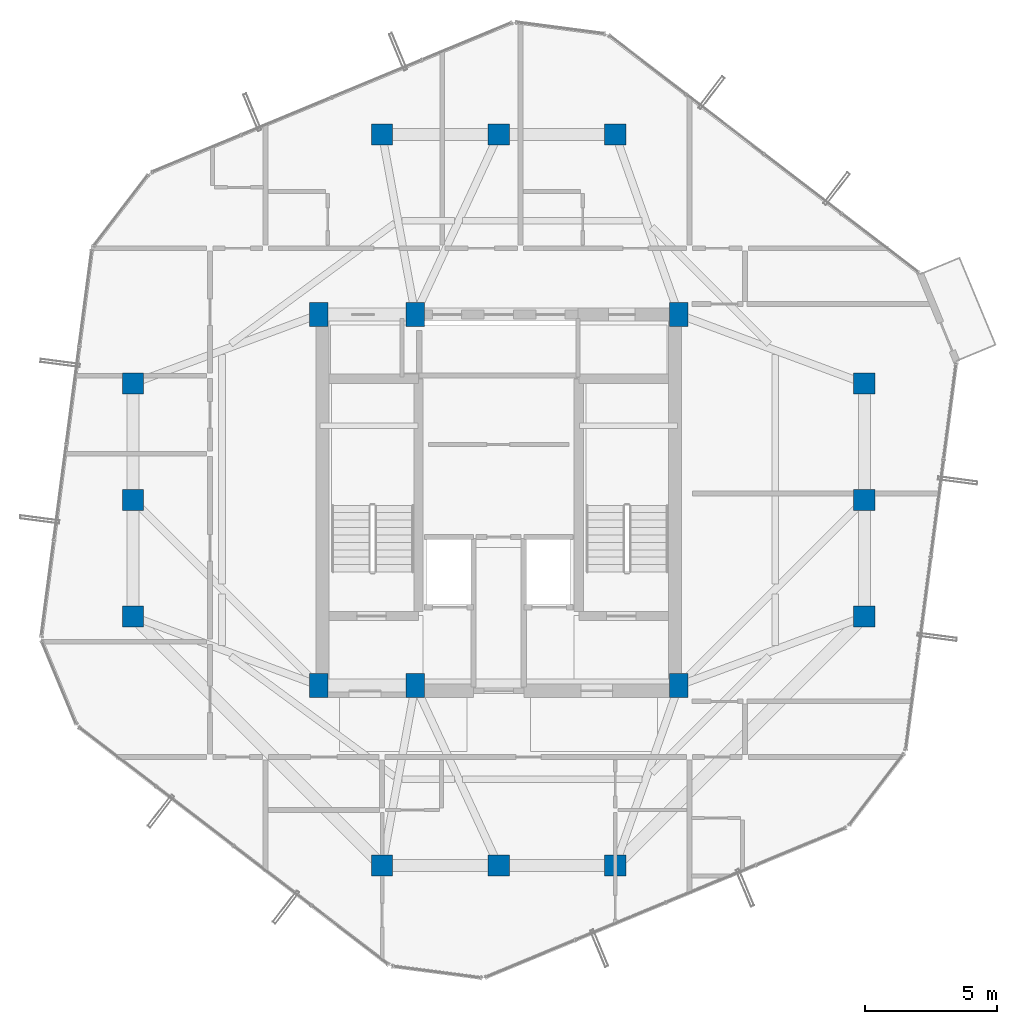
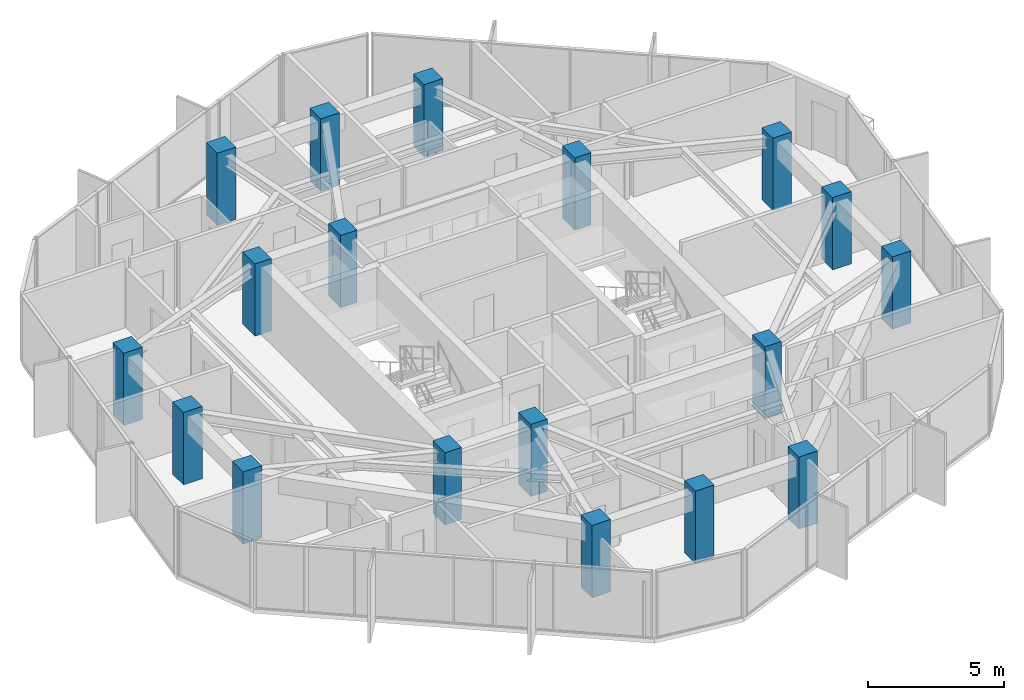
# One storey, part 1 of 31: 18 columns.
"""IFC4 building model written with IfcOpenShell, lengths in metres."""

from ifc_helpers import new_model, si_unit, direction, frame, origin, origin_2d, place, context, subcontext, project, spatial, rectangle, extrude, material, material_profile, profile_set, type_object, element, save


model = new_model("IFC4")

# Units and contexts
model_context = context("Model", 3, precision=1e-05, world=origin(), true_north=direction((0.0, 1.0)))
body_context = subcontext(model_context, "Body", "Model", "MODEL_VIEW")
ifc_project = project(units=[si_unit("LENGTHUNIT", "METRE"), si_unit("AREAUNIT", "SQUARE_METRE"), si_unit("VOLUMEUNIT", "CUBIC_METRE"), si_unit("PLANEANGLEUNIT", "RADIAN"), si_unit("MASSUNIT", "GRAM", prefix="KILO")], contexts=[model_context])

# Site, building, storey
site_placement = place(None, origin())
site = spatial("IfcSite", under=ifc_project, at=site_placement, CompositionType="ELEMENT")
building_placement = place(site_placement, origin())
building = spatial("IfcBuilding", under=site, at=building_placement, Name="Veraguas Prism Commons", CompositionType="ELEMENT")
storey_placement = place(building_placement, frame((0.0, 0.0, 233.300048828125)))
storey = spatial("IfcBuildingStorey", under=building, at=storey_placement, Name="L66", CompositionType="ELEMENT", Elevation=233.300048828125)

# Columns
ifc_material = material(Name="Concrete C50/60", Category="concrete")
ifc_material_profile_1 = material_profile(ifc_material, rectangle(XDim=0.800048828125, YDim=0.800048828125, at=origin_2d()), Name="RC800X800")
ifc_profile_set_1 = profile_set([ifc_material_profile_1], Name="Concrete C50/60")
column_type_1 = type_object("IfcColumnType", Name="Column Tube Z4 RC 800x800", PredefinedType="COLUMN", material=ifc_profile_set_1)
for number, where, z_axis, x_axis, name in (
    (1, (37.800048828125, 19.60009765625, 0.0), (0.0, 0.0, 1.0), (1.0, 0.0, 0.0), "Tower Perimeter Column L66-TB01"),
    (2, (37.800048828125, 24.0, 0.0), (0.0, 0.0, 1.0), (1.0, 0.0, 0.0), "Tower Perimeter Column L66-TB02"),
    (3, (37.800048828125, 28.39990234375, 0.0), (0.0, 0.0, 1.0), (1.0, 0.0, 0.0), "Tower Perimeter Column L66-TB03"),
    (4, (28.39990234375, 37.800048828125, 0.0), (0.0, 0.0, 1.0), (1.0, 0.0, 0.0), "Tower Perimeter Column L66-TB04"),
    (5, (24.0, 37.800048828125, 0.0), (0.0, 0.0, 1.0), (1.0, 0.0, 0.0), "Tower Perimeter Column L66-TB05"),
    (6, (19.60009765625, 37.800048828125, 0.0), (0.0, 0.0, 1.0), (1.0, 0.0, 0.0), "Tower Perimeter Column L66-TB06"),
    (7, (10.199951171875, 28.39990234375, 0.0), (0.0, 0.0, 1.0), (1.0, 0.0, 0.0), "Tower Perimeter Column L66-TB07"),
    (8, (10.199951171875, 24.0, 0.0), (0.0, 0.0, 1.0), (1.0, 0.0, 0.0), "Tower Perimeter Column L66-TB08"),
    (9, (10.199951171875, 19.60009765625, 0.0), (0.0, 0.0, 1.0), (1.0, 0.0, 0.0), "Tower Perimeter Column L66-TB09"),
    (10, (19.60009765625, 10.199951171875, 0.0), (0.0, 0.0, 1.0), (1.0, 0.0, 0.0), "Tower Perimeter Column L66-TB10"),
    (11, (24.0, 10.199951171875, 0.0), (0.0, 0.0, 1.0), (1.0, 0.0, 0.0), "Tower Perimeter Column L66-TB11"),
    (12, (28.39990234375, 10.199951171875, 0.0), (0.0, 0.0, 1.0), (1.0, 0.0, 0.0), "Tower Perimeter Column L66-TB12"),
):
    element("IfcColumn", number, at=place(storey_placement, frame(where, z_axis=z_axis, x_axis=x_axis)), inside=storey, type_object=column_type_1, Name=name, PredefinedType="COLUMN", context=body_context, shape_type="SweptSolid", body=[
        extrude(rectangle(XDim=0.800048828125, YDim=0.800048828125, at=origin_2d()), origin(), (0.0, 0.0, 1.0), 3.25),
    ])
ifc_material_profile_2 = material_profile(ifc_material, rectangle(XDim=0.699951171875, YDim=0.89990234375, at=origin_2d()), Name="RC700X900")
ifc_profile_set_2 = profile_set([ifc_material_profile_2], Name="Concrete C50/60")
column_type_2 = type_object("IfcColumnType", Name="Pilaster Core Upper RC 700x900", PredefinedType="PILASTER", material=ifc_profile_set_2)
for number, where, z_axis, x_axis, name in (
    (13, (17.199951171875, 17.0, 0.0), (0.0, 0.0, 1.0), (1.0, 0.0, 0.0), "Core Pilaster Column L66-CR1"),
    (14, (20.85009765625, 17.0, 0.0), (0.0, 0.0, 1.0), (1.0, 0.0, 0.0), "Core Pilaster Column L66-CR2"),
    (15, (30.800048828125, 17.0, 0.0), (0.0, 0.0, 1.0), (1.0, 0.0, 0.0), "Core Pilaster Column L66-CR3"),
    (16, (17.199951171875, 31.0, 0.0), (0.0, 0.0, 1.0), (1.0, 0.0, 0.0), "Core Pilaster Column L66-CR4"),
    (17, (20.85009765625, 31.0, 0.0), (0.0, 0.0, 1.0), (1.0, 0.0, 0.0), "Core Pilaster Column L66-CR5"),
    (18, (30.800048828125, 31.0, 0.0), (0.0, 0.0, 1.0), (1.0, 0.0, 0.0), "Core Pilaster Column L66-CR6"),
):
    element("IfcColumn", number, at=place(storey_placement, frame(where, z_axis=z_axis, x_axis=x_axis)), inside=storey, type_object=column_type_2, Name=name, PredefinedType="PILASTER", context=body_context, shape_type="SweptSolid", body=[
        extrude(rectangle(XDim=0.699951171875, YDim=0.89990234375, at=origin_2d()), origin(), (0.0, 0.0, 1.0), 3.25),
    ])

save(model, "model.ifc")
